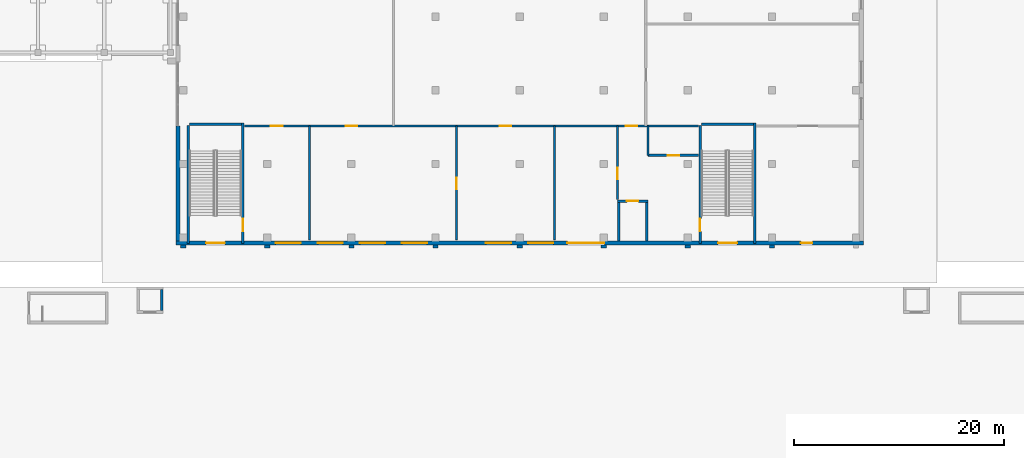
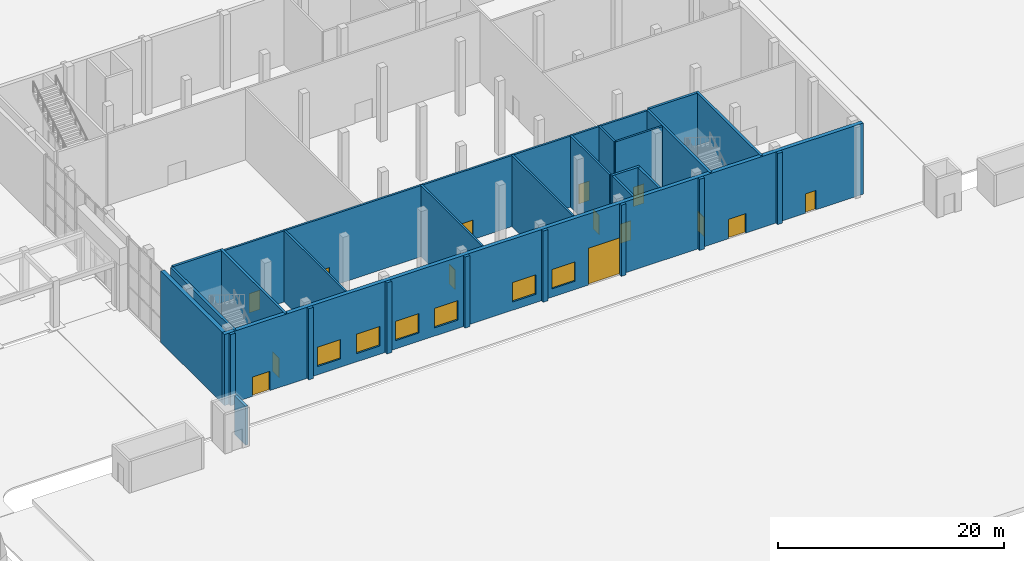
# One storey, part 32 of 57: 27 walls, 14 doors, 6 windows, 20 openings.
"""IFC4 building model written with IfcOpenShell, lengths in metres."""

from ifc_helpers import new_model, si_unit, direction, frame, frame_2d, origin, place, context, subcontext, project, spatial, rectangle, extrude, material, layer, layer_set, type_object, element, fill, save


model = new_model("IFC4")

# Units and contexts
model_context = context("Model", 3, precision=1e-05, world=origin(), true_north=direction((0.0, 1.0)))
body_context = subcontext(model_context, "Body", "Model", "MODEL_VIEW")
ifc_project = project(units=[si_unit("LENGTHUNIT", "METRE"), si_unit("AREAUNIT", "SQUARE_METRE"), si_unit("VOLUMEUNIT", "CUBIC_METRE"), si_unit("PLANEANGLEUNIT", "RADIAN"), si_unit("MASSUNIT", "GRAM", prefix="KILO")], contexts=[model_context])

# Site, building, storey
site_placement = place(None, origin())
site = spatial("IfcSite", under=ifc_project, at=site_placement, CompositionType="ELEMENT")
building_placement = place(site_placement, origin())
building = spatial("IfcBuilding", under=site, at=building_placement, Name="Tamorin Gate", CompositionType="ELEMENT")
storey_placement = place(building_placement, origin())
storey = spatial("IfcBuildingStorey", under=building, at=storey_placement, Name="L00", CompositionType="ELEMENT", Elevation=0.0)

# Wall, openings, doors
ifc_material_1 = material(Name="Dense blockwork, plastered", Category="masonry")
ifc_layer_1 = layer(ifc_material_1, 0.199951171875)
ifc_layer_set_1 = layer_set([ifc_layer_1], Name="Blockwork partition 200")
wall_type_1 = type_object("IfcWallType", Name="Blockwork partition 200", PredefinedType="PARTITIONING", material=ifc_layer_set_1)
wall_1_placement = place(storey_placement, frame((151.530029296875, 66.330078125, 0.0), z_axis=(0.0, 0.0, 1.0), x_axis=(1.0, 0.0, 0.0)))
wall_1 = element("IfcWall", 1, at=wall_1_placement, inside=storey, type_object=wall_type_1, Name="Partition", PredefinedType="PARTITIONING", context=body_context, shape_type="SweptSolid", body=[
    extrude(rectangle(XDim=43.18994140625, YDim=0.199951171875, at=frame_2d((21.594970703125, 0.0))), origin(), (0.0, 0.0, 1.0), 7.699951171875),
])
opening_1_placement = place(wall_1_placement, frame((2.52001953125, 0.0, 0.0)))
opening_1 = element("IfcOpeningElement", 2, at=opening_1_placement, cuts=wall_1, Name="Opening DM52", PredefinedType="OPENING", context=body_context, shape_type="SweptSolid", body=[
    extrude(rectangle(XDim=1.10009765625, YDim=2.10009765625, at=frame_2d((0.550048828125, 1.050048828125))), frame((0.0, 0.10986328125, 0.0), z_axis=(0.0, -1.0, 0.0), x_axis=(1.0, 0.0, 0.0)), (0.0, 0.0, 1.0), 0.219970703125),
])
opening_2_placement = place(wall_1_placement, frame((9.6201171875, 0.0, 0.0)))
opening_2 = element("IfcOpeningElement", 3, at=opening_2_placement, cuts=wall_1, Name="Opening DM53", PredefinedType="OPENING", context=body_context, shape_type="SweptSolid", body=[
    extrude(rectangle(XDim=1.10009765625, YDim=2.10009765625, at=frame_2d((0.550048828125, 1.050048828125))), frame((0.0, 0.10986328125, 0.0), z_axis=(0.0, -1.0, 0.0), x_axis=(1.0, 0.0, 0.0)), (0.0, 0.0, 1.0), 0.219970703125),
])
opening_3_placement = place(wall_1_placement, frame((24.27001953125, 0.0, 0.0)))
opening_3 = element("IfcOpeningElement", 4, at=opening_3_placement, cuts=wall_1, Name="Opening DM55", PredefinedType="OPENING", context=body_context, shape_type="SweptSolid", body=[
    extrude(rectangle(XDim=1.10009765625, YDim=2.10009765625, at=frame_2d((0.550048828125, 1.050048828125))), frame((0.0, 0.10986328125, 0.0), z_axis=(0.0, -1.0, 0.0), x_axis=(1.0, 0.0, 0.0)), (0.0, 0.0, 1.0), 0.219970703125),
])
opening_4_placement = place(wall_1_placement, frame((36.27001953125, 0.0, 0.0)))
opening_4 = element("IfcOpeningElement", 5, at=opening_4_placement, cuts=wall_1, Name="Opening DM58", PredefinedType="OPENING", context=body_context, shape_type="SweptSolid", body=[
    extrude(rectangle(XDim=1.10009765625, YDim=2.10009765625, at=frame_2d((0.550048828125, 1.050048828125))), frame((0.0, 0.10986328125, 0.0), z_axis=(0.0, -1.0, 0.0), x_axis=(1.0, 0.0, 0.0)), (0.0, 0.0, 1.0), 0.219970703125),
])
ifc_material_2 = material(Name="Steel, painted", Category="steel")
door_type_1 = type_object("IfcDoorType", Name="Museum door 1100x2100", OperationType="SINGLE_SWING_LEFT", PredefinedType="DOOR", material=ifc_material_2)
door_1_placement = place(opening_1_placement, origin())
door_1 = element("IfcDoor", 6, at=door_1_placement, inside=storey, type_object=door_type_1, Name="Door Ticketing and orientation", OperationType="SINGLE_SWING_RIGHT", OverallHeight=2.10009765625, OverallWidth=1.10009765625, PredefinedType="DOOR", context=body_context, shape_type="SweptSolid", body=[
    extrude(rectangle(XDim=1.10009765625, YDim=2.10009765625, at=frame_2d((0.550048828125, 1.050048828125))), frame((0.0, 0.02490234375, 0.0), z_axis=(0.0, -1.0, 0.0), x_axis=(1.0, 0.0, 0.0)), (0.0, 0.0, 1.0), 0.050048828125),
])
fill(opening_1, door_1)
door_2_placement = place(opening_2_placement, origin())
door_2 = element("IfcDoor", 7, at=door_2_placement, inside=storey, type_object=door_type_1, Name="Door Museum cafe", OperationType="SINGLE_SWING_LEFT", OverallHeight=2.10009765625, OverallWidth=1.10009765625, PredefinedType="DOOR", context=body_context, shape_type="SweptSolid", body=[
    extrude(rectangle(XDim=1.10009765625, YDim=2.10009765625, at=frame_2d((0.550048828125, 1.050048828125))), frame((0.0, 0.02490234375, 0.0), z_axis=(0.0, -1.0, 0.0), x_axis=(1.0, 0.0, 0.0)), (0.0, 0.0, 1.0), 0.050048828125),
])
fill(opening_2, door_2)
door_3_placement = place(opening_3_placement, origin())
door_3 = element("IfcDoor", 8, at=door_3_placement, inside=storey, type_object=door_type_1, Name="Door Museum shop", OperationType="SINGLE_SWING_LEFT", OverallHeight=2.10009765625, OverallWidth=1.10009765625, PredefinedType="DOOR", context=body_context, shape_type="SweptSolid", body=[
    extrude(rectangle(XDim=1.10009765625, YDim=2.10009765625, at=frame_2d((0.550048828125, 1.050048828125))), frame((0.0, 0.02490234375, 0.0), z_axis=(0.0, -1.0, 0.0), x_axis=(1.0, 0.0, 0.0)), (0.0, 0.0, 1.0), 0.050048828125),
])
fill(opening_3, door_3)
door_4_placement = place(opening_4_placement, origin())
door_4 = element("IfcDoor", 9, at=door_4_placement, inside=storey, type_object=door_type_1, Name="Door Goods lobby", OperationType="SINGLE_SWING_RIGHT", OverallHeight=2.10009765625, OverallWidth=1.10009765625, PredefinedType="DOOR", context=body_context, shape_type="SweptSolid", body=[
    extrude(rectangle(XDim=1.10009765625, YDim=2.10009765625, at=frame_2d((0.550048828125, 1.050048828125))), frame((0.0, 0.02490234375, 0.0), z_axis=(0.0, -1.0, 0.0), x_axis=(1.0, 0.0, 0.0)), (0.0, 0.0, 1.0), 0.050048828125),
])
fill(opening_4, door_4)

# Wall, opening, door
wall_2_placement = place(storey_placement, frame((189.89990234375, 63.530029296875, 0.0), z_axis=(0.0, 0.0, 1.0), x_axis=(1.0, 0.0, 0.0)))
wall_2 = element("IfcWall", 10, at=wall_2_placement, inside=storey, type_object=wall_type_1, Name="Partition", PredefinedType="PARTITIONING", context=body_context, shape_type="SweptSolid", body=[
    extrude(rectangle(XDim=4.820068359375, YDim=0.199951171875, at=frame_2d((2.41015625, 0.0))), origin(), (0.0, 0.0, 1.0), 7.699951171875),
])
opening_5_placement = place(wall_2_placement, frame((1.875, 0.0, 0.0)))
opening_5 = element("IfcOpeningElement", 11, at=opening_5_placement, cuts=wall_2, Name="Opening DM57", PredefinedType="OPENING", context=body_context, shape_type="SweptSolid", body=[
    extrude(rectangle(XDim=1.10009765625, YDim=2.10009765625, at=frame_2d((0.550048828125, 1.050048828125))), frame((0.0, 0.10986328125, 0.0), z_axis=(0.0, -1.0, 0.0), x_axis=(1.0, 0.0, 0.0)), (0.0, 0.0, 1.0), 0.219970703125),
])
door_5_placement = place(opening_5_placement, origin())
door_5 = element("IfcDoor", 12, at=door_5_placement, inside=storey, type_object=door_type_1, Name="Door Cleaner's store", OperationType="SINGLE_SWING_LEFT", OverallHeight=2.10009765625, OverallWidth=1.10009765625, PredefinedType="DOOR", context=body_context, shape_type="SweptSolid", body=[
    extrude(rectangle(XDim=1.10009765625, YDim=2.10009765625, at=frame_2d((0.550048828125, 1.050048828125))), frame((0.0, 0.02490234375, 0.0), z_axis=(0.0, -1.0, 0.0), x_axis=(1.0, 0.0, 0.0)), (0.0, 0.0, 1.0), 0.050048828125),
])
fill(opening_5, door_5)

# Wall
wall_3_placement = place(storey_placement, frame((157.699951171875, 55.449951171875, 0.0), z_axis=(0.0, 0.0, 1.0), x_axis=(0.0, 1.0, 0.0)))
element("IfcWall", 13, at=wall_3_placement, inside=storey, type_object=wall_type_1, Name="Partition", PredefinedType="PARTITIONING", context=body_context, shape_type="SweptSolid", body=[
    extrude(rectangle(XDim=10.880126953125, YDim=0.199951171875, at=frame_2d((5.43994140625, 0.0))), origin(), (0.0, 0.0, 1.0), 7.699951171875),
])

# Wall, opening, door
wall_4_placement = place(storey_placement, frame((171.699951171875, 55.449951171875, 0.0), z_axis=(0.0, 0.0, 1.0), x_axis=(0.0, 1.0, 0.0)))
wall_4 = element("IfcWall", 14, at=wall_4_placement, inside=storey, type_object=wall_type_1, Name="Partition", PredefinedType="PARTITIONING", context=body_context, shape_type="SweptSolid", body=[
    extrude(rectangle(XDim=10.880126953125, YDim=0.199951171875, at=frame_2d((5.43994140625, 0.0))), origin(), (0.0, 0.0, 1.0), 7.699951171875),
])
opening_6_placement = place(wall_4_placement, frame((4.864990234375, 0.0, 0.0)))
opening_6 = element("IfcOpeningElement", 15, at=opening_6_placement, cuts=wall_4, Name="Opening DM54", PredefinedType="OPENING", context=body_context, shape_type="SweptSolid", body=[
    extrude(rectangle(XDim=1.10009765625, YDim=2.10009765625, at=frame_2d((0.550048828125, 1.050048828125))), frame((0.0, 0.10986328125, 0.0), z_axis=(0.0, -1.0, 0.0), x_axis=(1.0, 0.0, 0.0)), (0.0, 0.0, 1.0), 0.219970703125),
])
door_6_placement = place(opening_6_placement, origin())
door_6 = element("IfcDoor", 16, at=door_6_placement, inside=storey, type_object=door_type_1, Name="Door Museum shop", OperationType="SINGLE_SWING_RIGHT", OverallHeight=2.10009765625, OverallWidth=1.10009765625, PredefinedType="DOOR", context=body_context, shape_type="SweptSolid", body=[
    extrude(rectangle(XDim=1.10009765625, YDim=2.10009765625, at=frame_2d((0.550048828125, 1.050048828125))), frame((0.0, 0.02490234375, 0.0), z_axis=(0.0, -1.0, 0.0), x_axis=(1.0, 0.0, 0.0)), (0.0, 0.0, 1.0), 0.050048828125),
])
fill(opening_6, door_6)

# Wall
wall_5_placement = place(storey_placement, frame((181.0, 55.449951171875, 0.0), z_axis=(0.0, 0.0, 1.0), x_axis=(0.0, 1.0, 0.0)))
element("IfcWall", 17, at=wall_5_placement, inside=storey, type_object=wall_type_1, Name="Partition", PredefinedType="PARTITIONING", context=body_context, shape_type="SweptSolid", body=[
    extrude(rectangle(XDim=10.880126953125, YDim=0.199951171875, at=frame_2d((5.43994140625, 0.0))), origin(), (0.0, 0.0, 1.0), 7.699951171875),
])

# Wall, opening, door
wall_6_placement = place(storey_placement, frame((187.0, 59.330078125, 0.0), z_axis=(0.0, 0.0, 1.0), x_axis=(0.0, 1.0, 0.0)))
wall_6 = element("IfcWall", 18, at=wall_6_placement, inside=storey, type_object=wall_type_1, Name="Partition", PredefinedType="PARTITIONING", context=body_context, shape_type="SweptSolid", body=[
    extrude(rectangle(XDim=7.0, YDim=0.199951171875, at=frame_2d((3.5, 0.0))), origin(), (0.0, 0.0, 1.0), 7.699951171875),
])
opening_7_placement = place(wall_6_placement, frame((1.93505859375, 0.0, 0.0)))
opening_7 = element("IfcOpeningElement", 19, at=opening_7_placement, cuts=wall_6, Name="Opening DM56", PredefinedType="OPENING", context=body_context, shape_type="SweptSolid", body=[
    extrude(rectangle(XDim=1.10009765625, YDim=2.10009765625, at=frame_2d((0.550048828125, 1.050048828125))), frame((0.0, 0.10986328125, 0.0), z_axis=(0.0, -1.0, 0.0), x_axis=(1.0, 0.0, 0.0)), (0.0, 0.0, 1.0), 0.219970703125),
])
door_7_placement = place(opening_7_placement, origin())
door_7 = element("IfcDoor", 20, at=door_7_placement, inside=storey, type_object=door_type_1, Name="Door Loading dock", OperationType="SINGLE_SWING_RIGHT", OverallHeight=2.10009765625, OverallWidth=1.10009765625, PredefinedType="DOOR", context=body_context, shape_type="SweptSolid", body=[
    extrude(rectangle(XDim=1.10009765625, YDim=2.10009765625, at=frame_2d((0.550048828125, 1.050048828125))), frame((0.0, 0.02490234375, 0.0), z_axis=(0.0, -1.0, 0.0), x_axis=(1.0, 0.0, 0.0)), (0.0, 0.0, 1.0), 0.050048828125),
])
fill(opening_7, door_7)

# Wall
wall_7_placement = place(storey_placement, frame((189.89990234375, 63.530029296875, 0.0), z_axis=(0.0, 0.0, 1.0), x_axis=(0.0, 1.0, 0.0)))
element("IfcWall", 21, at=wall_7_placement, inside=storey, type_object=wall_type_1, Name="Partition", PredefinedType="PARTITIONING", context=body_context, shape_type="SweptSolid", body=[
    extrude(rectangle(XDim=2.800048828125, YDim=0.199951171875, at=frame_2d((1.39990234375, 0.0))), origin(), (0.0, 0.0, 1.0), 7.699951171875),
])

# Wall, openings, windows, doors
ifc_material_3 = material(Name="Concrete C40/50", Category="concrete")
ifc_layer_2 = layer(ifc_material_3, 0.39990234375)
ifc_layer_set_2 = layer_set([ifc_layer_2], Name="Board-marked concrete facade wall 400 C40/50")
wall_type_2 = type_object("IfcWallType", Name="Board-marked concrete facade wall 400 C40/50", PredefinedType="SOLIDWALL", material=ifc_layer_set_2)
wall_8_placement = place(storey_placement, frame((145.0, 55.199951171875, 0.0), z_axis=(0.0, 0.0, 1.0), x_axis=(1.0, 0.0, 0.0)))
wall_8 = element("IfcWall", 22, at=wall_8_placement, inside=storey, type_object=wall_type_2, Name="Facade wall", PredefinedType="SOLIDWALL", context=body_context, shape_type="SweptSolid", body=[
    extrude(rectangle(XDim=65.39990234375, YDim=0.39990234375, at=frame_2d((32.699951171875, 0.0))), origin(), (0.0, 0.0, 1.0), 7.699951171875),
])
opening_8_placement = place(wall_8_placement, frame((51.574951171875, 0.0, 0.0)))
opening_8 = element("IfcOpeningElement", 23, at=opening_8_placement, cuts=wall_8, Name="Opening DM107", PredefinedType="OPENING", context=body_context, shape_type="SweptSolid", body=[
    extrude(rectangle(XDim=1.800048828125, YDim=2.10009765625, at=frame_2d((0.89990234375, 1.050048828125))), frame((0.0, 0.2099609375, 0.0), z_axis=(0.0, -1.0, 0.0), x_axis=(1.0, 0.0, 0.0)), (0.0, 0.0, 1.0), 0.419921875),
])
opening_9_placement = place(wall_8_placement, frame((2.875, 0.0, 0.0)))
opening_9 = element("IfcOpeningElement", 24, at=opening_9_placement, cuts=wall_8, Name="Opening DM108", PredefinedType="OPENING", context=body_context, shape_type="SweptSolid", body=[
    extrude(rectangle(XDim=1.800048828125, YDim=2.10009765625, at=frame_2d((0.89990234375, 1.050048828125))), frame((0.0, 0.2099609375, 0.0), z_axis=(0.0, -1.0, 0.0), x_axis=(1.0, 0.0, 0.0)), (0.0, 0.0, 1.0), 0.419921875),
])
opening_10_placement = place(wall_8_placement, frame((37.25, 0.0, 0.0)))
opening_10 = element("IfcOpeningElement", 25, at=opening_10_placement, cuts=wall_8, Name="Opening DM111", PredefinedType="OPENING", context=body_context, shape_type="SweptSolid", body=[
    extrude(rectangle(XDim=3.5, YDim=4.0, at=frame_2d((1.75, 2.0))), frame((0.0, 0.2099609375, 0.0), z_axis=(0.0, -1.0, 0.0), x_axis=(1.0, 0.0, 0.0)), (0.0, 0.0, 1.0), 0.419921875),
])
opening_11_placement = place(wall_8_placement, frame((59.449951171875, 0.0, 0.0)))
opening_11 = element("IfcOpeningElement", 26, at=opening_11_placement, cuts=wall_8, Name="Opening DM112", PredefinedType="OPENING", context=body_context, shape_type="SweptSolid", body=[
    extrude(rectangle(XDim=1.10009765625, YDim=2.10009765625, at=frame_2d((0.550048828125, 1.050048828125))), frame((0.0, 0.2099609375, 0.0), z_axis=(0.0, -1.0, 0.0), x_axis=(1.0, 0.0, 0.0)), (0.0, 0.0, 1.0), 0.419921875),
])
opening_12_placement = place(wall_8_placement, frame((9.5, 0.0, 0.89990234375)))
opening_12 = element("IfcOpeningElement", 27, at=opening_12_placement, cuts=wall_8, Name="Opening WNM1", PredefinedType="OPENING", context=body_context, shape_type="SweptSolid", body=[
    extrude(rectangle(XDim=2.39990234375, YDim=2.10009765625, at=frame_2d((1.199951171875, 1.050048828125))), frame((0.0, 0.2099609375, 0.0), z_axis=(0.0, -1.0, 0.0), x_axis=(1.0, 0.0, 0.0)), (0.0, 0.0, 1.0), 0.419921875),
])
opening_13_placement = place(wall_8_placement, frame((13.5, 0.0, 0.89990234375)))
opening_13 = element("IfcOpeningElement", 28, at=opening_13_placement, cuts=wall_8, Name="Opening WNM1", PredefinedType="OPENING", context=body_context, shape_type="SweptSolid", body=[
    extrude(rectangle(XDim=2.39990234375, YDim=2.10009765625, at=frame_2d((1.199951171875, 1.050048828125))), frame((0.0, 0.2099609375, 0.0), z_axis=(0.0, -1.0, 0.0), x_axis=(1.0, 0.0, 0.0)), (0.0, 0.0, 1.0), 0.419921875),
])
opening_14_placement = place(wall_8_placement, frame((17.5, 0.0, 0.89990234375)))
opening_14 = element("IfcOpeningElement", 29, at=opening_14_placement, cuts=wall_8, Name="Opening WNM1", PredefinedType="OPENING", context=body_context, shape_type="SweptSolid", body=[
    extrude(rectangle(XDim=2.39990234375, YDim=2.10009765625, at=frame_2d((1.199951171875, 1.050048828125))), frame((0.0, 0.2099609375, 0.0), z_axis=(0.0, -1.0, 0.0), x_axis=(1.0, 0.0, 0.0)), (0.0, 0.0, 1.0), 0.419921875),
])
opening_15_placement = place(wall_8_placement, frame((21.5, 0.0, 0.89990234375)))
opening_15 = element("IfcOpeningElement", 30, at=opening_15_placement, cuts=wall_8, Name="Opening WNM1", PredefinedType="OPENING", context=body_context, shape_type="SweptSolid", body=[
    extrude(rectangle(XDim=2.39990234375, YDim=2.10009765625, at=frame_2d((1.199951171875, 1.050048828125))), frame((0.0, 0.2099609375, 0.0), z_axis=(0.0, -1.0, 0.0), x_axis=(1.0, 0.0, 0.0)), (0.0, 0.0, 1.0), 0.419921875),
])
opening_16_placement = place(wall_8_placement, frame((29.5, 0.0, 0.89990234375)))
opening_16 = element("IfcOpeningElement", 31, at=opening_16_placement, cuts=wall_8, Name="Opening WNM1", PredefinedType="OPENING", context=body_context, shape_type="SweptSolid", body=[
    extrude(rectangle(XDim=2.39990234375, YDim=2.10009765625, at=frame_2d((1.199951171875, 1.050048828125))), frame((0.0, 0.2099609375, 0.0), z_axis=(0.0, -1.0, 0.0), x_axis=(1.0, 0.0, 0.0)), (0.0, 0.0, 1.0), 0.419921875),
])
opening_17_placement = place(wall_8_placement, frame((33.5, 0.0, 0.89990234375)))
opening_17 = element("IfcOpeningElement", 32, at=opening_17_placement, cuts=wall_8, Name="Opening WNM1", PredefinedType="OPENING", context=body_context, shape_type="SweptSolid", body=[
    extrude(rectangle(XDim=2.39990234375, YDim=2.10009765625, at=frame_2d((1.199951171875, 1.050048828125))), frame((0.0, 0.2099609375, 0.0), z_axis=(0.0, -1.0, 0.0), x_axis=(1.0, 0.0, 0.0)), (0.0, 0.0, 1.0), 0.419921875),
])
ifc_material_4 = material(Name="Aluminium and glass", Category="aluminium")
window_type = type_object("IfcWindowType", Name="Deep-set window 2400x1500", PartitioningType="SINGLE_PANEL", PredefinedType="WINDOW", material=ifc_material_4)
window_1_placement = place(opening_12_placement, origin())
window_1 = element("IfcWindow", 33, at=window_1_placement, inside=storey, type_object=window_type, Name="Deep-set window", OverallHeight=2.10009765625, OverallWidth=2.39990234375, PartitioningType="SINGLE_PANEL", PredefinedType="WINDOW", context=body_context, shape_type="SweptSolid", body=[
    extrude(rectangle(XDim=2.39990234375, YDim=2.10009765625, at=frame_2d((1.199951171875, 1.050048828125))), frame((0.0, 0.030029296875, 0.0), z_axis=(0.0, -1.0, 0.0), x_axis=(1.0, 0.0, 0.0)), (0.0, 0.0, 1.0), 0.06005859375),
])
fill(opening_12, window_1)
window_2_placement = place(opening_13_placement, origin())
window_2 = element("IfcWindow", 34, at=window_2_placement, inside=storey, type_object=window_type, Name="Deep-set window", OverallHeight=2.10009765625, OverallWidth=2.39990234375, PartitioningType="SINGLE_PANEL", PredefinedType="WINDOW", context=body_context, shape_type="SweptSolid", body=[
    extrude(rectangle(XDim=2.39990234375, YDim=2.10009765625, at=frame_2d((1.199951171875, 1.050048828125))), frame((0.0, 0.030029296875, 0.0), z_axis=(0.0, -1.0, 0.0), x_axis=(1.0, 0.0, 0.0)), (0.0, 0.0, 1.0), 0.06005859375),
])
fill(opening_13, window_2)
window_3_placement = place(opening_14_placement, origin())
window_3 = element("IfcWindow", 35, at=window_3_placement, inside=storey, type_object=window_type, Name="Deep-set window", OverallHeight=2.10009765625, OverallWidth=2.39990234375, PartitioningType="SINGLE_PANEL", PredefinedType="WINDOW", context=body_context, shape_type="SweptSolid", body=[
    extrude(rectangle(XDim=2.39990234375, YDim=2.10009765625, at=frame_2d((1.199951171875, 1.050048828125))), frame((0.0, 0.030029296875, 0.0), z_axis=(0.0, -1.0, 0.0), x_axis=(1.0, 0.0, 0.0)), (0.0, 0.0, 1.0), 0.06005859375),
])
fill(opening_14, window_3)
window_4_placement = place(opening_15_placement, origin())
window_4 = element("IfcWindow", 36, at=window_4_placement, inside=storey, type_object=window_type, Name="Deep-set window", OverallHeight=2.10009765625, OverallWidth=2.39990234375, PartitioningType="SINGLE_PANEL", PredefinedType="WINDOW", context=body_context, shape_type="SweptSolid", body=[
    extrude(rectangle(XDim=2.39990234375, YDim=2.10009765625, at=frame_2d((1.199951171875, 1.050048828125))), frame((0.0, 0.030029296875, 0.0), z_axis=(0.0, -1.0, 0.0), x_axis=(1.0, 0.0, 0.0)), (0.0, 0.0, 1.0), 0.06005859375),
])
fill(opening_15, window_4)
window_5_placement = place(opening_16_placement, origin())
window_5 = element("IfcWindow", 37, at=window_5_placement, inside=storey, type_object=window_type, Name="Deep-set window", OverallHeight=2.10009765625, OverallWidth=2.39990234375, PartitioningType="SINGLE_PANEL", PredefinedType="WINDOW", context=body_context, shape_type="SweptSolid", body=[
    extrude(rectangle(XDim=2.39990234375, YDim=2.10009765625, at=frame_2d((1.199951171875, 1.050048828125))), frame((0.0, 0.030029296875, 0.0), z_axis=(0.0, -1.0, 0.0), x_axis=(1.0, 0.0, 0.0)), (0.0, 0.0, 1.0), 0.06005859375),
])
fill(opening_16, window_5)
window_6_placement = place(opening_17_placement, origin())
window_6 = element("IfcWindow", 38, at=window_6_placement, inside=storey, type_object=window_type, Name="Deep-set window", OverallHeight=2.10009765625, OverallWidth=2.39990234375, PartitioningType="SINGLE_PANEL", PredefinedType="WINDOW", context=body_context, shape_type="SweptSolid", body=[
    extrude(rectangle(XDim=2.39990234375, YDim=2.10009765625, at=frame_2d((1.199951171875, 1.050048828125))), frame((0.0, 0.030029296875, 0.0), z_axis=(0.0, -1.0, 0.0), x_axis=(1.0, 0.0, 0.0)), (0.0, 0.0, 1.0), 0.06005859375),
])
fill(opening_17, window_6)
door_8_placement = place(opening_11_placement, origin())
door_8 = element("IfcDoor", 39, at=door_8_placement, inside=storey, type_object=door_type_1, Name="Plant room door", OperationType="SINGLE_SWING_RIGHT", OverallHeight=2.10009765625, OverallWidth=1.10009765625, PredefinedType="DOOR", context=body_context, shape_type="SweptSolid", body=[
    extrude(rectangle(XDim=1.10009765625, YDim=2.10009765625, at=frame_2d((0.550048828125, 1.050048828125))), frame((0.0, 0.02490234375, 0.0), z_axis=(0.0, -1.0, 0.0), x_axis=(1.0, 0.0, 0.0)), (0.0, 0.0, 1.0), 0.050048828125),
])
fill(opening_11, door_8)
door_type_2 = type_object("IfcDoorType", Name="Museum exit door 1800x2100 outward", OperationType="DOUBLE_DOOR_SINGLE_SWING", PredefinedType="DOOR", material=ifc_material_2)
door_9_placement = place(opening_8_placement, frame((1.800048828125, 0.0, 0.0), z_axis=(0.0, 0.0, 1.0), x_axis=(-1.0, 0.0, 0.0)))
door_9 = element("IfcDoor", 40, at=door_9_placement, inside=storey, type_object=door_type_2, Name="Exit door PS7", OperationType="DOUBLE_DOOR_SINGLE_SWING", OverallHeight=2.10009765625, OverallWidth=1.800048828125, PredefinedType="DOOR", context=body_context, shape_type="SweptSolid", body=[
    extrude(rectangle(XDim=1.800048828125, YDim=2.10009765625, at=frame_2d((0.89990234375, 1.050048828125))), frame((0.0, 0.02490234375, 0.0), z_axis=(0.0, -1.0, 0.0), x_axis=(1.0, 0.0, 0.0)), (0.0, 0.0, 1.0), 0.050048828125),
])
fill(opening_8, door_9)
door_10_placement = place(opening_9_placement, frame((1.800048828125, 0.0, 0.0), z_axis=(0.0, 0.0, 1.0), x_axis=(-1.0, 0.0, 0.0)))
door_10 = element("IfcDoor", 41, at=door_10_placement, inside=storey, type_object=door_type_2, Name="Exit door PS8", OperationType="DOUBLE_DOOR_SINGLE_SWING", OverallHeight=2.10009765625, OverallWidth=1.800048828125, PredefinedType="DOOR", context=body_context, shape_type="SweptSolid", body=[
    extrude(rectangle(XDim=1.800048828125, YDim=2.10009765625, at=frame_2d((0.89990234375, 1.050048828125))), frame((0.0, 0.02490234375, 0.0), z_axis=(0.0, -1.0, 0.0), x_axis=(1.0, 0.0, 0.0)), (0.0, 0.0, 1.0), 0.050048828125),
])
fill(opening_9, door_10)
ifc_material_5 = material(Name="Steel, galvanised", Category="steel")
door_type_3 = type_object("IfcDoorType", Name="Museum roller door 3500x4000", OperationType="ROLLINGUP", PredefinedType="DOOR", material=ifc_material_5)
door_11_placement = place(opening_10_placement, origin())
door_11 = element("IfcDoor", 42, at=door_11_placement, inside=storey, type_object=door_type_3, Name="Loading dock door", OperationType="ROLLINGUP", OverallHeight=4.0, OverallWidth=3.5, PredefinedType="DOOR", context=body_context, shape_type="SweptSolid", body=[
    extrude(rectangle(XDim=3.5, YDim=4.0, at=frame_2d((1.75, 2.0))), frame((0.0, 0.02490234375, 0.0), z_axis=(0.0, -1.0, 0.0), x_axis=(1.0, 0.0, 0.0)), (0.0, 0.0, 1.0), 0.050048828125),
])
fill(opening_10, door_11)

# Wall
wall_9_placement = place(storey_placement, frame((145.199951171875, 55.39990234375, 0.0), z_axis=(0.0, 0.0, 1.0), x_axis=(0.0, 1.0, 0.0)))
element("IfcWall", 43, at=wall_9_placement, inside=storey, type_object=wall_type_2, Name="Facade wall", PredefinedType="SOLIDWALL", context=body_context, shape_type="SweptSolid", body=[
    extrude(rectangle(XDim=10.93017578125, YDim=0.39990234375, at=frame_2d((5.465087890625, 0.0))), origin(), (0.0, 0.0, 1.0), 7.699951171875),
])

# Wall, opening, door
ifc_layer_3 = layer(ifc_material_3, 0.25)
ifc_layer_set_3 = layer_set([ifc_layer_3], Name="Museum stair and lift enclosure wall 250 C40/50")
wall_type_3 = type_object("IfcWallType", Name="Museum stair and lift enclosure wall 250 C40/50", PredefinedType="SHEAR", material=ifc_layer_set_3)
wall_10_placement = place(storey_placement, frame((194.875, 55.14990234375, 0.0), z_axis=(0.0, 0.0, 1.0), x_axis=(0.0, 1.0, 0.0)))
wall_10 = element("IfcWall", 44, at=wall_10_placement, inside=storey, type_object=wall_type_3, Name="Stair PS7 wall", PredefinedType="SHEAR", context=body_context, shape_type="SweptSolid", body=[
    extrude(rectangle(XDim=11.210205078125, YDim=0.25, at=frame_2d((5.60498046875, 0.0))), origin(), (0.0, 0.0, 1.0), 7.699951171875),
])
opening_18_placement = place(wall_10_placement, frame((1.14990234375, 0.0, 0.0)))
opening_18 = element("IfcOpeningElement", 45, at=opening_18_placement, cuts=wall_10, Name="Opening DM8", PredefinedType="OPENING", context=body_context, shape_type="SweptSolid", body=[
    extrude(rectangle(XDim=1.199951171875, YDim=2.10009765625, at=frame_2d((0.60009765625, 1.050048828125))), frame((0.0, 0.135009765625, 0.0), z_axis=(0.0, -1.0, 0.0), x_axis=(1.0, 0.0, 0.0)), (0.0, 0.0, 1.0), 0.27001953125),
])
door_type_4 = type_object("IfcDoorType", Name="Museum stair door 1200x2100 FD90", OperationType="SINGLE_SWING_LEFT", PredefinedType="DOOR", material=ifc_material_2)
door_12_placement = place(opening_18_placement, origin())
door_12 = element("IfcDoor", 46, at=door_12_placement, inside=storey, type_object=door_type_4, Name="Stair door", OperationType="SINGLE_SWING_RIGHT", OverallHeight=2.10009765625, OverallWidth=1.199951171875, PredefinedType="DOOR", context=body_context, shape_type="SweptSolid", body=[
    extrude(rectangle(XDim=1.199951171875, YDim=2.10009765625, at=frame_2d((0.60009765625, 1.050048828125))), frame((0.0, 0.02490234375, 0.0), z_axis=(0.0, -1.0, 0.0), x_axis=(1.0, 0.0, 0.0)), (0.0, 0.0, 1.0), 0.050048828125),
])
fill(opening_18, door_12)

# Walls
wall_11_placement = place(storey_placement, frame((200.074951171875, 55.14990234375, 0.0), z_axis=(0.0, 0.0, 1.0), x_axis=(0.0, 1.0, 0.0)))
element("IfcWall", 47, at=wall_11_placement, inside=storey, type_object=wall_type_3, Name="Stair PS7 wall", PredefinedType="SHEAR", context=body_context, shape_type="SweptSolid", body=[
    extrude(rectangle(XDim=11.460205078125, YDim=0.25, at=frame_2d((5.72998046875, 0.0))), origin(), (0.0, 0.0, 1.0), 7.699951171875),
])
wall_12_placement = place(storey_placement, frame((195.0, 66.485107421875, 0.0), z_axis=(0.0, 0.0, 1.0), x_axis=(1.0, 0.0, 0.0)))
element("IfcWall", 48, at=wall_12_placement, inside=storey, type_object=wall_type_3, Name="Stair PS7 wall", PredefinedType="SHEAR", context=body_context, shape_type="SweptSolid", body=[
    extrude(rectangle(XDim=4.949951171875, YDim=0.25, at=frame_2d((2.47509765625, 0.0))), origin(), (0.0, 0.0, 1.0), 7.699951171875),
])
wall_13_placement = place(storey_placement, frame((146.175048828125, 55.14990234375, 0.0), z_axis=(0.0, 0.0, 1.0), x_axis=(0.0, 1.0, 0.0)))
element("IfcWall", 49, at=wall_13_placement, inside=storey, type_object=wall_type_3, Name="Stair PS8 wall", PredefinedType="SHEAR", context=body_context, shape_type="SweptSolid", body=[
    extrude(rectangle(XDim=11.210205078125, YDim=0.25, at=frame_2d((5.60498046875, 0.0))), origin(), (0.0, 0.0, 1.0), 7.699951171875),
])

# Wall, opening, door
wall_14_placement = place(storey_placement, frame((151.375, 55.14990234375, 0.0), z_axis=(0.0, 0.0, 1.0), x_axis=(0.0, 1.0, 0.0)))
wall_14 = element("IfcWall", 50, at=wall_14_placement, inside=storey, type_object=wall_type_3, Name="Stair PS8 wall", PredefinedType="SHEAR", context=body_context, shape_type="SweptSolid", body=[
    extrude(rectangle(XDim=11.460205078125, YDim=0.25, at=frame_2d((5.72998046875, 0.0))), origin(), (0.0, 0.0, 1.0), 7.699951171875),
])
opening_19_placement = place(wall_14_placement, frame((1.14990234375, 0.0, 0.0)))
opening_19 = element("IfcOpeningElement", 51, at=opening_19_placement, cuts=wall_14, Name="Opening DM14", PredefinedType="OPENING", context=body_context, shape_type="SweptSolid", body=[
    extrude(rectangle(XDim=1.199951171875, YDim=2.10009765625, at=frame_2d((0.60009765625, 1.050048828125))), frame((0.0, 0.135009765625, 0.0), z_axis=(0.0, -1.0, 0.0), x_axis=(1.0, 0.0, 0.0)), (0.0, 0.0, 1.0), 0.27001953125),
])
door_13_placement = place(opening_19_placement, origin())
door_13 = element("IfcDoor", 52, at=door_13_placement, inside=storey, type_object=door_type_4, Name="Stair door", OperationType="SINGLE_SWING_RIGHT", OverallHeight=2.10009765625, OverallWidth=1.199951171875, PredefinedType="DOOR", context=body_context, shape_type="SweptSolid", body=[
    extrude(rectangle(XDim=1.199951171875, YDim=2.10009765625, at=frame_2d((0.60009765625, 1.050048828125))), frame((0.0, 0.02490234375, 0.0), z_axis=(0.0, -1.0, 0.0), x_axis=(1.0, 0.0, 0.0)), (0.0, 0.0, 1.0), 0.050048828125),
])
fill(opening_19, door_13)

# Wall
wall_15_placement = place(storey_placement, frame((146.300048828125, 66.485107421875, 0.0), z_axis=(0.0, 0.0, 1.0), x_axis=(1.0, 0.0, 0.0)))
element("IfcWall", 53, at=wall_15_placement, inside=storey, type_object=wall_type_3, Name="Stair PS8 wall", PredefinedType="SHEAR", context=body_context, shape_type="SweptSolid", body=[
    extrude(rectangle(XDim=4.949951171875, YDim=0.25, at=frame_2d((2.47509765625, 0.0))), origin(), (0.0, 0.0, 1.0), 7.699951171875),
])

# Wall, opening, door
wall_16_placement = place(storey_placement, frame((187.0, 59.175048828125, 0.0), z_axis=(0.0, 0.0, 1.0), x_axis=(1.0, 0.0, 0.0)))
wall_16 = element("IfcWall", 54, at=wall_16_placement, inside=storey, type_object=wall_type_3, Name="Lift shaft LM2", PredefinedType="SHEAR", context=body_context, shape_type="SweptSolid", body=[
    extrude(rectangle(XDim=2.89990234375, YDim=0.25, at=frame_2d((1.449951171875, 0.0))), origin(), (0.0, 0.0, 1.0), 7.699951171875),
])
opening_20_placement = place(wall_16_placement, frame((0.89990234375, 0.0, 0.0)))
opening_20 = element("IfcOpeningElement", 55, at=opening_20_placement, cuts=wall_16, Name="Opening LD24", PredefinedType="OPENING", context=body_context, shape_type="SweptSolid", body=[
    extrude(rectangle(XDim=1.10009765625, YDim=2.10009765625, at=frame_2d((0.550048828125, 1.050048828125))), frame((0.0, 0.135009765625, 0.0), z_axis=(0.0, -1.0, 0.0), x_axis=(1.0, 0.0, 0.0)), (0.0, 0.0, 1.0), 0.27001953125),
])
ifc_material_6 = material(Name="Stainless steel", Category="steel")
door_type_5 = type_object("IfcDoorType", Name="Museum lift landing door 1100x2100", OperationType="DOUBLE_DOOR_SLIDING", PredefinedType="DOOR", material=ifc_material_6)
door_14_placement = place(opening_20_placement, origin())
door_14 = element("IfcDoor", 56, at=door_14_placement, inside=storey, type_object=door_type_5, Name="Lift landing door", OperationType="DOUBLE_DOOR_SLIDING", OverallHeight=2.10009765625, OverallWidth=1.10009765625, PredefinedType="DOOR", context=body_context, shape_type="SweptSolid", body=[
    extrude(rectangle(XDim=1.10009765625, YDim=2.10009765625, at=frame_2d((0.550048828125, 1.050048828125))), frame((0.0, 0.02490234375, 0.0), z_axis=(0.0, -1.0, 0.0), x_axis=(1.0, 0.0, 0.0)), (0.0, 0.0, 1.0), 0.050048828125),
])
fill(opening_20, door_14)

# Walls
for number, where, z_axis, x_axis, name in (
    (57, (187.125, 55.39990234375, 0.0), (0.0, 0.0, 1.0), (0.0, 1.0, 0.0), "Lift shaft LM2"),
    (58, (189.77490234375, 55.39990234375, 0.0), (0.0, 0.0, 1.0), (0.0, 1.0, 0.0), "Lift shaft LM2"),
):
    element("IfcWall", number, at=place(storey_placement, frame(where, z_axis=z_axis, x_axis=x_axis)), inside=storey, type_object=wall_type_3, Name=name, PredefinedType="SHEAR", context=body_context, shape_type="SweptSolid", body=[
        extrude(rectangle(XDim=3.650146484375, YDim=0.25, at=frame_2d((1.8251953125, 0.0))), origin(), (0.0, 0.0, 1.0), 7.699951171875),
    ])
ifc_layer_4 = layer(ifc_material_3, 0.5)
ifc_layer_set_4 = layer_set([ifc_layer_4], Name="Precast rib wall 500 C40/50")
wall_type_4 = type_object("IfcWallType", Name="Precast rib wall 500 C40/50", PredefinedType="STANDARD", material=ifc_layer_set_4)
for number, where, z_axis, x_axis, name in (
    (59, (145.699951171875, 54.699951171875, 0.0), (0.0, 0.0, 1.0), (0.0, 1.0, 0.0), "Precast rib"),
    (60, (153.699951171875, 54.699951171875, 0.0), (0.0, 0.0, 1.0), (0.0, 1.0, 0.0), "Precast rib"),
    (61, (161.699951171875, 54.699951171875, 0.0), (0.0, 0.0, 1.0), (0.0, 1.0, 0.0), "Precast rib"),
    (62, (169.699951171875, 54.699951171875, 0.0), (0.0, 0.0, 1.0), (0.0, 1.0, 0.0), "Precast rib"),
    (63, (177.699951171875, 54.699951171875, 0.0), (0.0, 0.0, 1.0), (0.0, 1.0, 0.0), "Precast rib"),
    (64, (185.699951171875, 54.699951171875, 0.0), (0.0, 0.0, 1.0), (0.0, 1.0, 0.0), "Precast rib"),
    (65, (193.699951171875, 54.699951171875, 0.0), (0.0, 0.0, 1.0), (0.0, 1.0, 0.0), "Precast rib"),
    (66, (201.699951171875, 54.699951171875, 0.0), (0.0, 0.0, 1.0), (0.0, 1.0, 0.0), "Precast rib"),
):
    element("IfcWall", number, at=place(storey_placement, frame(where, z_axis=z_axis, x_axis=x_axis)), inside=storey, type_object=wall_type_4, Name=name, PredefinedType="STANDARD", context=body_context, shape_type="SweptSolid", body=[
        extrude(rectangle(XDim=0.300048828125, YDim=0.5, at=frame_2d((0.14990234375, 0.0))), origin(), (0.0, 0.0, 1.0), 7.699951171875),
    ])
ifc_layer_5 = layer(ifc_material_3, 0.25)
ifc_layer_set_5 = layer_set([ifc_layer_5], Name="Stair and lift enclosure wall 250 C40/50")
wall_type_5 = type_object("IfcWallType", Name="Stair and lift enclosure wall 250 C40/50", PredefinedType="SHEAR", material=ifc_layer_set_5)
wall_17_placement = place(storey_placement, frame((143.675048828125, 48.75, 0.0), z_axis=(0.0, 0.0, 1.0), x_axis=(0.0, 1.0, 0.0)))
element("IfcWall", 67, at=wall_17_placement, inside=storey, type_object=wall_type_5, Name="Lift shaft LP1", PredefinedType="SHEAR", context=body_context, shape_type="SweptSolid", body=[
    extrude(rectangle(XDim=2.0, YDim=0.25, at=frame_2d((1.0, 0.0))), origin(), (0.0, 0.0, 1.0), 4.199951171875),
])

save(model, "model.ifc")
